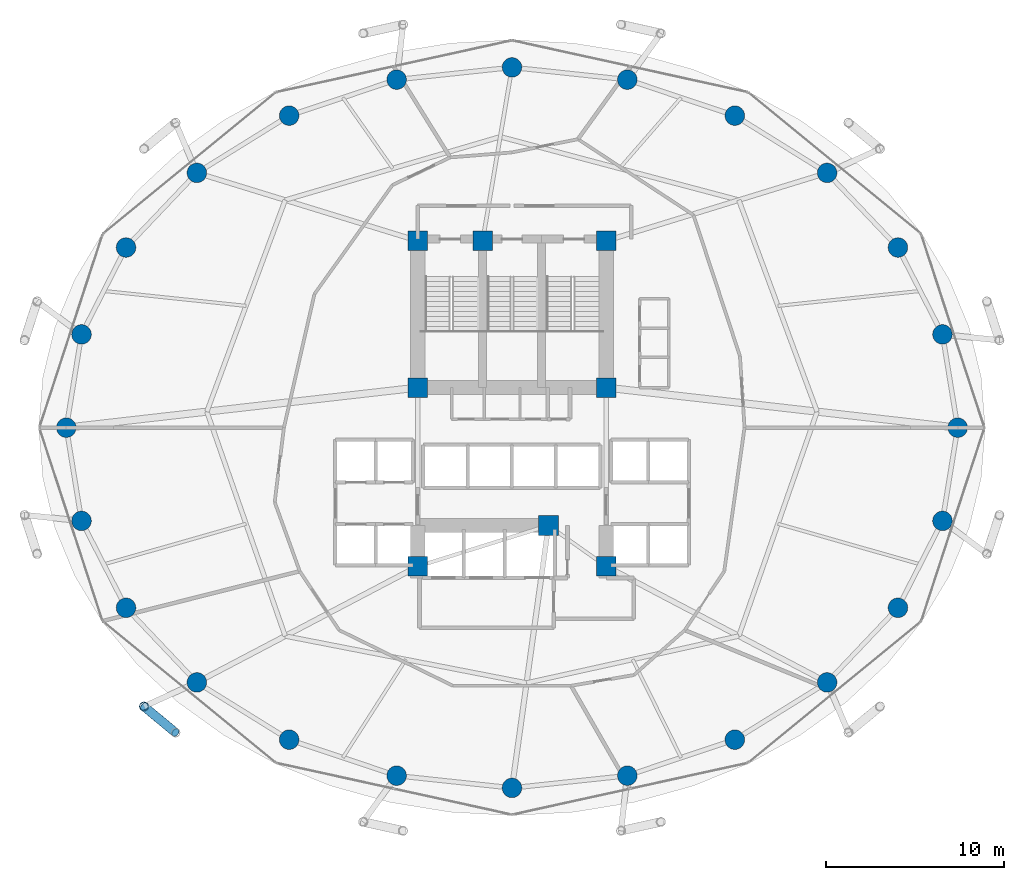
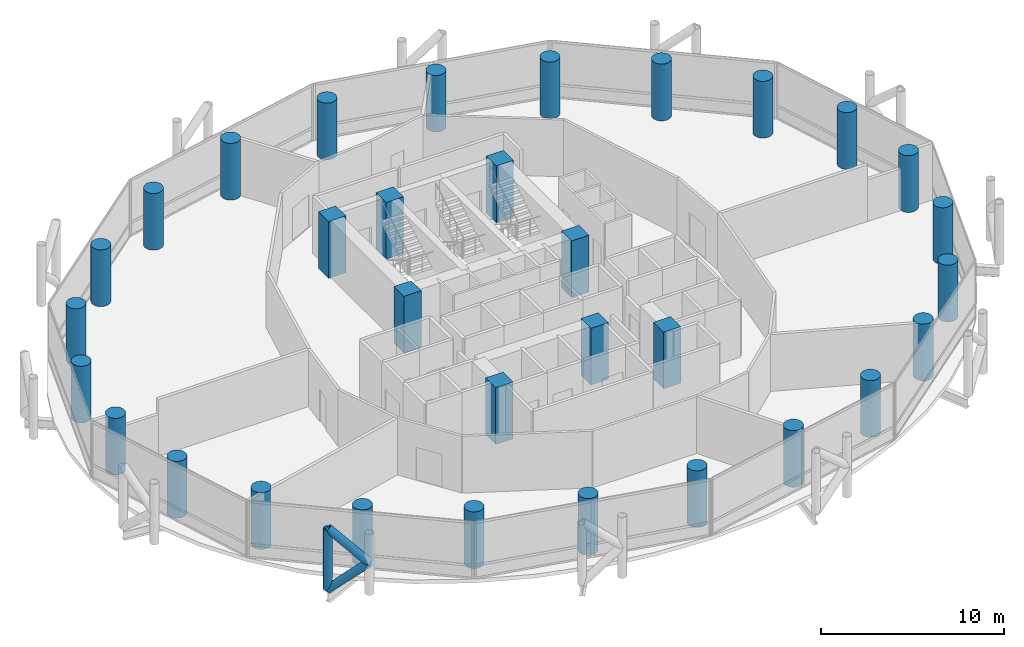
# One storey, part 1 of 24: 32 columns, 3 members.
"""IFC4 building model written with IfcOpenShell, lengths in metres."""

from ifc_helpers import new_model, si_unit, direction, frame, origin, origin_2d, place, context, subcontext, project, spatial, rectangle, circle, hollow_circle, extrude, material, material_profile, profile_set, type_object, element, save


model = new_model("IFC4")

# Units and contexts
model_context = context("Model", 3, precision=1e-05, world=origin(), true_north=direction((0.0, 1.0)))
body_context = subcontext(model_context, "Body", "Model", "MODEL_VIEW")
ifc_project = project(units=[si_unit("LENGTHUNIT", "METRE"), si_unit("AREAUNIT", "SQUARE_METRE"), si_unit("VOLUMEUNIT", "CUBIC_METRE"), si_unit("PLANEANGLEUNIT", "RADIAN"), si_unit("MASSUNIT", "GRAM", prefix="KILO")], contexts=[model_context])

# Site, building, storey
site_placement = place(None, origin())
site = spatial("IfcSite", under=ifc_project, at=site_placement, CompositionType="ELEMENT")
building_placement = place(site_placement, origin())
building = spatial("IfcBuilding", under=site, at=building_placement, Name="Nuhasar Tower", CompositionType="ELEMENT")
storey_placement = place(building_placement, frame((0.0, 0.0, 25.050048828125)))
storey = spatial("IfcBuildingStorey", under=building, at=storey_placement, Name="L05", CompositionType="ELEMENT", Elevation=25.050048828125)

# Columns
ifc_material_1 = material(Name="Concrete C80/95", Category="concrete")
ifc_material_profile_1 = material_profile(ifc_material_1, circle(Radius=0.550048828125, at=origin_2d()), Name="CFT1100")
ifc_profile_set_1 = profile_set([ifc_material_profile_1], Name="Concrete C80/95")
column_type_1 = type_object("IfcColumnType", Name="COL-CFT-1100", PredefinedType="COLUMN", material=ifc_profile_set_1)
for number, where, z_axis, x_axis, name in (
    (1, (64.050048828125, 26.800048828125, 0.0), (0.0, 0.0, 1.0), (1.0, 0.0, 0.0), "L05 Perimeter Composite Column TC-01"),
    (2, (63.196044921875, 32.041015625, 0.0), (0.0, 0.0, 1.0), (1.0, 0.0, 0.0), "L05 Perimeter Composite Column TC-02"),
    (3, (60.694091796875, 36.925048828125, 0.0), (0.0, 0.0, 1.0), (1.0, 0.0, 0.0), "L05 Perimeter Composite Column TC-03"),
    (4, (56.712890625, 41.118896484375, 0.0), (0.0, 0.0, 1.0), (1.0, 0.0, 0.0), "L05 Perimeter Composite Column TC-04"),
    (5, (51.52490234375, 44.3369140625, 0.0), (0.0, 0.0, 1.0), (1.0, 0.0, 0.0), "L05 Perimeter Composite Column TC-05"),
    (6, (45.48291015625, 46.360107421875, 0.0), (0.0, 0.0, 1.0), (1.0, 0.0, 0.0), "L05 Perimeter Composite Column TC-06"),
    (7, (39.0, 47.050048828125, 0.0), (0.0, 0.0, 1.0), (1.0, 0.0, 0.0), "L05 Perimeter Composite Column TC-07"),
    (8, (32.51708984375, 46.360107421875, 0.0), (0.0, 0.0, 1.0), (1.0, 0.0, 0.0), "L05 Perimeter Composite Column TC-08"),
    (9, (26.47509765625, 44.3369140625, 0.0), (0.0, 0.0, 1.0), (1.0, 0.0, 0.0), "L05 Perimeter Composite Column TC-09"),
    (10, (21.287109375, 41.118896484375, 0.0), (0.0, 0.0, 1.0), (1.0, 0.0, 0.0), "L05 Perimeter Composite Column TC-10"),
    (11, (17.305908203125, 36.925048828125, 0.0), (0.0, 0.0, 1.0), (1.0, 0.0, 0.0), "L05 Perimeter Composite Column TC-11"),
    (12, (14.803955078125, 32.041015625, 0.0), (0.0, 0.0, 1.0), (1.0, 0.0, 0.0), "L05 Perimeter Composite Column TC-12"),
    (13, (13.949951171875, 26.800048828125, 0.0), (0.0, 0.0, 1.0), (1.0, 0.0, 0.0), "L05 Perimeter Composite Column TC-13"),
    (14, (14.803955078125, 21.55908203125, 0.0), (0.0, 0.0, 1.0), (1.0, 0.0, 0.0), "L05 Perimeter Composite Column TC-14"),
    (15, (17.305908203125, 16.675048828125, 0.0), (0.0, 0.0, 1.0), (1.0, 0.0, 0.0), "L05 Perimeter Composite Column TC-15"),
    (16, (21.287109375, 12.48095703125, 0.0), (0.0, 0.0, 1.0), (1.0, 0.0, 0.0), "L05 Perimeter Composite Column TC-16"),
    (17, (26.47509765625, 9.262939453125, 0.0), (0.0, 0.0, 1.0), (1.0, 0.0, 0.0), "L05 Perimeter Composite Column TC-17"),
    (18, (32.51708984375, 7.239990234375, 0.0), (0.0, 0.0, 1.0), (1.0, 0.0, 0.0), "L05 Perimeter Composite Column TC-18"),
    (19, (39.0, 6.550048828125, 0.0), (0.0, 0.0, 1.0), (1.0, 0.0, 0.0), "L05 Perimeter Composite Column TC-19"),
    (20, (45.48291015625, 7.239990234375, 0.0), (0.0, 0.0, 1.0), (1.0, 0.0, 0.0), "L05 Perimeter Composite Column TC-20"),
    (21, (51.52490234375, 9.262939453125, 0.0), (0.0, 0.0, 1.0), (1.0, 0.0, 0.0), "L05 Perimeter Composite Column TC-21"),
    (22, (56.712890625, 12.48095703125, 0.0), (0.0, 0.0, 1.0), (1.0, 0.0, 0.0), "L05 Perimeter Composite Column TC-22"),
    (23, (60.694091796875, 16.675048828125, 0.0), (0.0, 0.0, 1.0), (1.0, 0.0, 0.0), "L05 Perimeter Composite Column TC-23"),
    (24, (63.196044921875, 21.55908203125, 0.0), (0.0, 0.0, 1.0), (1.0, 0.0, 0.0), "L05 Perimeter Composite Column TC-24"),
):
    element("IfcColumn", number, at=place(storey_placement, frame(where, z_axis=z_axis, x_axis=x_axis)), inside=storey, type_object=column_type_1, Name=name, PredefinedType="COLUMN", context=body_context, shape_type="SweptSolid", body=[
        extrude(circle(Radius=0.550048828125, at=origin_2d()), origin(), (0.0, 0.0, 1.0), 3.7900390625),
    ])
ifc_material_profile_2 = material_profile(ifc_material_1, rectangle(XDim=1.10009765625, YDim=1.10009765625, at=origin_2d()), Name="RC1100X1100")
ifc_profile_set_2 = profile_set([ifc_material_profile_2], Name="Concrete C80/95")
column_type_2 = type_object("IfcColumnType", Name="PIL-RC-1100", PredefinedType="PILASTER", material=ifc_profile_set_2)
for number, where, z_axis, x_axis, name in (
    (25, (33.699951171875, 19.0, 0.0), (0.0, 0.0, 1.0), (1.0, 0.0, 0.0), "L05 Core Boundary Pilaster CC-01"),
    (26, (41.050048828125, 21.300048828125, 0.0), (0.0, 0.0, 1.0), (1.0, 0.0, 0.0), "L05 Core Boundary Pilaster CC-02"),
    (27, (44.300048828125, 19.0, 0.0), (0.0, 0.0, 1.0), (1.0, 0.0, 0.0), "L05 Core Boundary Pilaster CC-03"),
    (28, (44.300048828125, 29.050048828125, 0.0), (0.0, 0.0, 1.0), (1.0, 0.0, 0.0), "L05 Core Boundary Pilaster CC-04"),
    (29, (44.300048828125, 37.300048828125, 0.0), (0.0, 0.0, 1.0), (1.0, 0.0, 0.0), "L05 Core Boundary Pilaster CC-05"),
    (30, (37.35009765625, 37.300048828125, 0.0), (0.0, 0.0, 1.0), (1.0, 0.0, 0.0), "L05 Core Boundary Pilaster CC-06"),
    (31, (33.699951171875, 37.300048828125, 0.0), (0.0, 0.0, 1.0), (1.0, 0.0, 0.0), "L05 Core Boundary Pilaster CC-07"),
    (32, (33.699951171875, 29.050048828125, 0.0), (0.0, 0.0, 1.0), (1.0, 0.0, 0.0), "L05 Core Boundary Pilaster CC-08"),
):
    element("IfcColumn", number, at=place(storey_placement, frame(where, z_axis=z_axis, x_axis=x_axis)), inside=storey, type_object=column_type_2, Name=name, PredefinedType="PILASTER", context=body_context, shape_type="SweptSolid", body=[
        extrude(rectangle(XDim=1.10009765625, YDim=1.10009765625, at=origin_2d()), origin(), (0.0, 0.0, 1.0), 3.7900390625),
    ])

# Members
ifc_material_2 = material(Name="Steel S460", Category="steel")
ifc_material_profile_3 = material_profile(ifc_material_2, hollow_circle(Radius=0.25390625, WallThickness=0.025390625, at=origin_2d()), Name="HSS508X25.4")
ifc_profile_set_3 = profile_set([ifc_material_profile_3], Name="Steel S460")
member_type = type_object("IfcMemberType", Name="EXO-BRONZE-508", PredefinedType="BRACE", material=ifc_profile_set_3)
member_1_placement = place(storey_placement, frame((18.31494140625, 11.12890625, 0.0), z_axis=(0.0, 0.0, 1.0), x_axis=(1.0, 0.0, 0.0)))
element("IfcMember", 33, at=member_1_placement, inside=storey, type_object=member_type, Name="L05 Exoskeleton Chord Column EC-08A", PredefinedType="BRACE", context=body_context, shape_type="SweptSolid", body=[
    extrude(hollow_circle(Radius=0.25390625, WallThickness=0.025390625, at=origin_2d()), origin(), (0.0, 0.0, 1.0), 4.050048828125),
])
member_2_placement = place(storey_placement, frame((18.31494140625, 11.12890625, 0.0), z_axis=(0.578101613167, -0.478937034992, 0.660619286251), x_axis=(0.637969333506, 0.770061769929, 0.0)))
element("IfcMember", 34, at=member_2_placement, inside=storey, type_object=member_type, Name="L05 Bronze Diagrid Brace W1-08", PredefinedType="BRACE", context=body_context, shape_type="SweptSolid", body=[
    extrude(hollow_circle(Radius=0.25390625, WallThickness=0.025390625, at=origin_2d()), origin(), (0.0, 0.0, 1.0), 3.065185546875),
])
member_3_placement = place(storey_placement, frame((20.0869140625, 9.660888671875, 2.02490234375), z_axis=(-0.578071194894, 0.478911834514, 0.660664172175), x_axis=(-0.637969333506, -0.770061769929, 0.0)))
element("IfcMember", 35, at=member_3_placement, inside=storey, type_object=member_type, Name="L05 Bronze Diagrid Brace W2-08", PredefinedType="BRACE", context=body_context, shape_type="SweptSolid", body=[
    extrude(hollow_circle(Radius=0.25390625, WallThickness=0.025390625, at=origin_2d()), origin(), (0.0, 0.0, 1.0), 3.0654296875),
])

save(model, "model.ifc")
